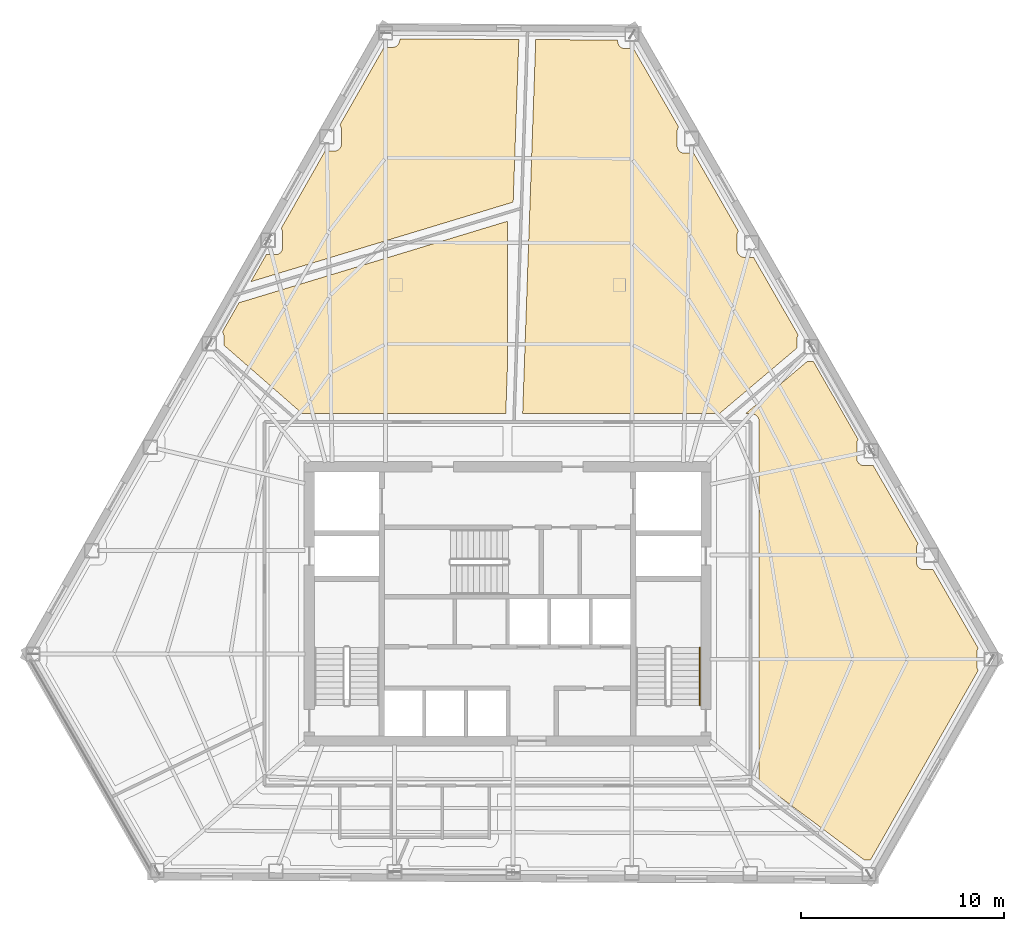
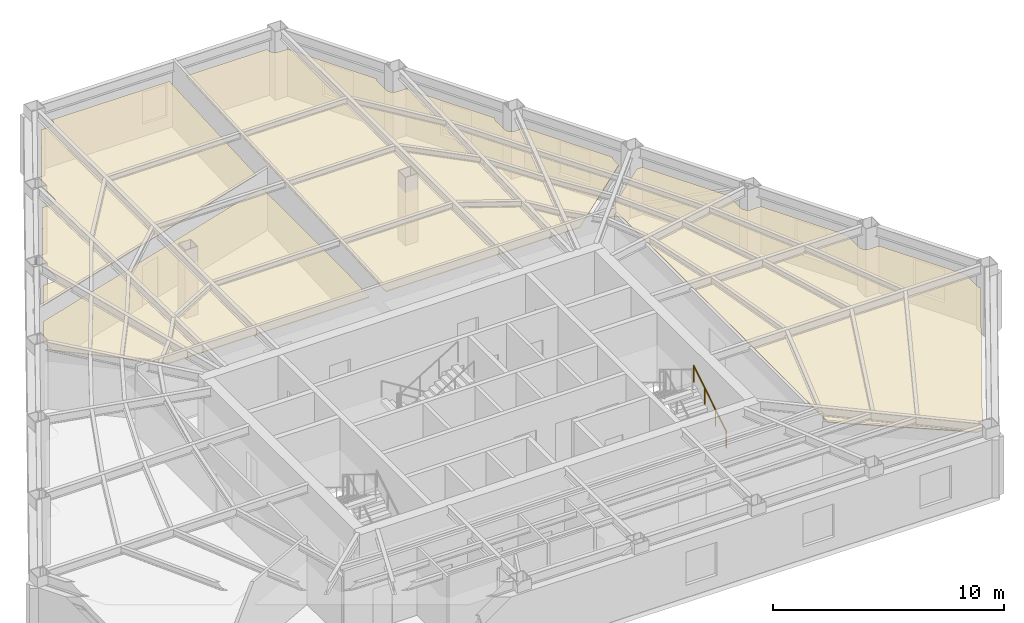
# One storey, part 13 of 13: 4 coverings, 1 railing.
"""IFC4 building model written with IfcOpenShell, lengths in metres."""

from ifc_helpers import new_model, si_unit, direction, frame, origin, origin_2d, place, context, subcontext, project, spatial, polyline, circle, outline, extrude, material, layer, layer_set, type_object, element, save


model = new_model("IFC4")

# Units and contexts
model_context = context("Model", 3, precision=1e-05, world=origin(), true_north=direction((0.0, 1.0)))
body_context = subcontext(model_context, "Body", "Model", "MODEL_VIEW")
ifc_project = project(units=[si_unit("LENGTHUNIT", "METRE"), si_unit("AREAUNIT", "SQUARE_METRE"), si_unit("VOLUMEUNIT", "CUBIC_METRE"), si_unit("PLANEANGLEUNIT", "RADIAN"), si_unit("MASSUNIT", "GRAM", prefix="KILO")], contexts=[model_context])

# Site, building, storey
site_placement = place(None, origin())
site = spatial("IfcSite", under=ifc_project, at=site_placement, CompositionType="ELEMENT")
building_placement = place(site_placement, origin())
building = spatial("IfcBuilding", under=site, at=building_placement, Name="Kavelnor Concourse Tower", CompositionType="ELEMENT")
storey_placement = place(building_placement, frame((0.0, 0.0, 100.89990234375)))
storey = spatial("IfcBuildingStorey", under=building, at=storey_placement, Name="L25", CompositionType="ELEMENT", Elevation=100.89990234375)

# Coverings
ifc_material_1 = material(Name="Mineral fibre acoustic ceiling tile")
ifc_layer = layer(ifc_material_1, 0.0400390625, Name="Mineral fibre acoustic ceiling tile")
ifc_layer_set = layer_set([ifc_layer], Name="Mineral fibre acoustic ceiling tile")
covering_type = type_object("IfcCoveringType", Name="COV-CEILING-ACOUSTIC", PredefinedType="CEILING", material=ifc_layer_set)
covering_1_placement = place(storey_placement, frame((0.0, 0.0, 2.75)))
element("IfcCovering", 1, at=covering_1_placement, inside=storey, type_object=covering_type, Name="L25 Suspended Acoustic Ceiling", PredefinedType="CEILING", context=body_context, shape_type="SweptSolid", body=[
    extrude(outline(polyline([(46.378173828125, 39.51123046875), (46.3662109375, 39.47802734375), (46.357666015625, 39.443603515625), (46.3525390625, 39.40869140625), (46.351318359375, 39.381591796875), (46.351318359375, 38.64501953125), (46.3525390625, 38.6181640625), (46.357666015625, 38.5830078125), (46.3662109375, 38.548828125), (46.378173828125, 38.515380859375), (46.393310546875, 38.4833984375), (46.41162109375, 38.453125), (46.4326171875, 38.4248046875), (46.456298828125, 38.398681640625), (46.482666015625, 38.374755859375), (46.510986328125, 38.353759765625), (46.541259765625, 38.33544921875), (46.5732421875, 38.3203125), (46.606689453125, 38.30859375), (46.640869140625, 38.2998046875), (46.67578125, 38.294677734375), (46.702880859375, 38.29345703125), (47.162109375, 38.29345703125), (49.36767578125, 34.456787109375), (49.359375, 34.445556640625), (49.34130859375, 34.415283203125), (49.326171875, 34.38330078125), (49.314208984375, 34.349853515625), (49.3056640625, 34.315673828125), (49.30029296875, 34.280517578125), (49.299072265625, 34.253662109375), (49.299072265625, 33.51708984375), (49.30029296875, 33.489990234375), (49.3056640625, 33.455078125), (49.314208984375, 33.420654296875), (49.326171875, 33.387451171875), (49.34130859375, 33.35546875), (49.359375, 33.3251953125), (49.380615234375, 33.296630859375), (49.404296875, 33.2705078125), (49.430419921875, 33.24658203125), (49.458984375, 33.2255859375), (49.4892578125, 33.20751953125), (49.521240234375, 33.1923828125), (49.554443359375, 33.180419921875), (49.5888671875, 33.171875), (49.623779296875, 33.16650390625), (49.65087890625, 33.165283203125), (50.110107421875, 33.165283203125), (52.315673828125, 29.32861328125), (52.307373046875, 29.3173828125), (52.289306640625, 29.287109375), (52.274169921875, 29.255126953125), (52.26220703125, 29.2216796875), (52.253662109375, 29.1875), (52.248291015625, 29.152587890625), (52.2470703125, 29.12548828125), (52.2470703125, 28.69189453125), (48.440185546875, 25.472412109375), (38.742431640625, 25.472412109375), (39.385498046875, 43.885986328125), (43.42333984375, 43.865234375), (43.42333984375, 43.793212890625), (43.424560546875, 43.76611328125), (43.4296875, 43.731201171875), (43.4384765625, 43.697021484375), (43.4501953125, 43.66357421875), (43.46533203125, 43.631591796875), (43.483642578125, 43.601318359375), (43.504638671875, 43.572998046875), (43.528564453125, 43.546630859375), (43.5546875, 43.52294921875), (43.5830078125, 43.501708984375), (43.61328125, 43.483642578125), (43.6455078125, 43.468505859375), (43.6787109375, 43.45654296875), (43.712890625, 43.447998046875), (43.748046875, 43.44287109375), (43.77490234375, 43.44140625), (44.202880859375, 43.44140625), (46.419921875, 39.584716796875), (46.41162109375, 39.573486328125), (46.393310546875, 39.543212890625), (46.378173828125, 39.51123046875)])), origin(), (0.0, 0.0, 1.0), 0.0400390625),
])
covering_2_placement = place(storey_placement, frame((0.0, 0.0, 2.75)))
element("IfcCovering", 2, at=covering_2_placement, inside=storey, type_object=covering_type, Name="L25 Suspended Acoustic Ceiling", PredefinedType="CEILING", context=body_context, shape_type="SweptSolid", body=[
    extrude(outline(polyline([(37.9951171875, 27.84814453125), (37.912109375, 25.472412109375), (27.8857421875, 25.472412109375), (24.027099609375, 28.838134765625), (24.027099609375, 29.28369140625), (24.02587890625, 29.310791015625), (24.020751953125, 29.345703125), (24.01220703125, 29.3798828125), (24.000244140625, 29.413330078125), (23.985107421875, 29.4453125), (23.966796875, 29.4755859375), (23.955810546875, 29.490478515625), (24.771240234375, 30.92626953125), (37.9951171875, 34.93994140625), (37.9951171875, 27.84814453125)])), origin(), (0.0, 0.0, 1.0), 0.0400390625),
])
covering_3_placement = place(storey_placement, frame((0.0, 0.0, 2.75)))
element("IfcCovering", 3, at=covering_3_placement, inside=storey, type_object=covering_type, Name="L25 Suspended Acoustic Ceiling", PredefinedType="CEILING", context=body_context, shape_type="SweptSolid", body=[
    extrude(outline(polyline([(26.570068359375, 33.291748046875), (26.596923828125, 33.29296875), (26.632080078125, 33.298095703125), (26.666259765625, 33.306884765625), (26.69970703125, 33.318603515625), (26.731689453125, 33.333740234375), (26.761962890625, 33.35205078125), (26.790283203125, 33.373046875), (26.81640625, 33.39697265625), (26.84033203125, 33.423095703125), (26.861328125, 33.451416015625), (26.879638671875, 33.481689453125), (26.894775390625, 33.513916015625), (26.906494140625, 33.547119140625), (26.915283203125, 33.581298828125), (26.92041015625, 33.616455078125), (26.921630859375, 33.643310546875), (26.921630859375, 34.3798828125), (26.92041015625, 34.406982421875), (26.915283203125, 34.44189453125), (26.906494140625, 34.476318359375), (26.894775390625, 34.509521484375), (26.879638671875, 34.54150390625), (26.861328125, 34.572021484375), (26.850341796875, 34.5869140625), (29.00927734375, 38.38818359375), (29.464599609375, 38.38818359375), (29.49169921875, 38.389404296875), (29.526611328125, 38.39453125), (29.560791015625, 38.4033203125), (29.59423828125, 38.4150390625), (29.626220703125, 38.43017578125), (29.656494140625, 38.448486328125), (29.684814453125, 38.469482421875), (29.711181640625, 38.493408203125), (29.73486328125, 38.51953125), (29.756103515625, 38.5478515625), (29.774169921875, 38.578125), (29.789306640625, 38.610107421875), (29.80126953125, 38.6435546875), (29.809814453125, 38.677734375), (29.81494140625, 38.712890625), (29.81640625, 38.73974609375), (29.81640625, 39.476318359375), (29.81494140625, 39.50341796875), (29.809814453125, 39.538330078125), (29.80126953125, 39.57275390625), (29.789306640625, 39.60595703125), (29.774169921875, 39.637939453125), (29.756103515625, 39.668212890625), (29.744873046875, 39.683349609375), (31.915283203125, 43.50439453125), (32.339111328125, 43.50439453125), (32.3662109375, 43.505615234375), (32.401123046875, 43.510986328125), (32.435302734375, 43.51953125), (32.46875, 43.531494140625), (32.500732421875, 43.54638671875), (32.531005859375, 43.564697265625), (32.559326171875, 43.585693359375), (32.585693359375, 43.609619140625), (32.609375, 43.6357421875), (32.630615234375, 43.664306640625), (32.648681640625, 43.694580078125), (32.663818359375, 43.7265625), (32.67578125, 43.759765625), (32.684326171875, 43.794189453125), (32.689453125, 43.8291015625), (32.69091796875, 43.856201171875), (32.69091796875, 43.9208984375), (38.55517578125, 43.890380859375), (38.275634765625, 35.882080078125), (25.359375, 31.961669921875), (26.11474609375, 33.291748046875), (26.570068359375, 33.291748046875)])), origin(), (0.0, 0.0, 1.0), 0.0400390625),
])
covering_4_placement = place(storey_placement, frame((0.0, 0.0, 2.75)))
element("IfcCovering", 4, at=covering_4_placement, inside=storey, type_object=covering_type, Name="L25 Suspended Acoustic Ceiling", PredefinedType="CEILING", context=body_context, shape_type="SweptSolid", body=[
    extrude(outline(polyline([(50.392578125, 25.058349609375), (50.390869140625, 25.091552734375), (50.384765625, 25.132568359375), (50.374755859375, 25.1728515625), (50.360595703125, 25.2119140625), (50.343017578125, 25.24951171875), (50.321533203125, 25.284912109375), (50.296875, 25.318359375), (50.26904296875, 25.34912109375), (50.23828125, 25.376953125), (50.205078125, 25.401611328125), (50.16943359375, 25.423095703125), (50.1318359375, 25.440673828125), (50.0927734375, 25.45458984375), (50.052490234375, 25.46484375), (50.011474609375, 25.470947265625), (49.978271484375, 25.472412109375), (49.7255859375, 25.472412109375), (52.75830078125, 28.037109375), (53.05810546875, 28.037109375), (55.263671875, 24.2001953125), (55.25537109375, 24.189208984375), (55.237060546875, 24.158935546875), (55.221923828125, 24.126953125), (55.210205078125, 24.093505859375), (55.201416015625, 24.059326171875), (55.1962890625, 24.0244140625), (55.195068359375, 23.997314453125), (55.195068359375, 23.2607421875), (55.1962890625, 23.233642578125), (55.201416015625, 23.19873046875), (55.210205078125, 23.164306640625), (55.221923828125, 23.131103515625), (55.237060546875, 23.09912109375), (55.25537109375, 23.06884765625), (55.2763671875, 23.040283203125), (55.30029296875, 23.01416015625), (55.326416015625, 22.990478515625), (55.354736328125, 22.96923828125), (55.385009765625, 22.951171875), (55.4169921875, 22.93603515625), (55.450439453125, 22.924072265625), (55.484619140625, 22.91552734375), (55.519775390625, 22.910400390625), (55.546630859375, 22.908935546875), (56.005859375, 22.908935546875), (58.21142578125, 19.072265625), (58.203125, 19.06103515625), (58.18505859375, 19.03076171875), (58.169921875, 18.998779296875), (58.157958984375, 18.965576171875), (58.1494140625, 18.93115234375), (58.144287109375, 18.896240234375), (58.142822265625, 18.869140625), (58.142822265625, 18.132568359375), (58.144287109375, 18.105712890625), (58.1494140625, 18.070556640625), (58.157958984375, 18.036376953125), (58.169921875, 18.0029296875), (58.18505859375, 17.970947265625), (58.203125, 17.940673828125), (58.224365234375, 17.912353515625), (58.248046875, 17.885986328125), (58.2744140625, 17.8623046875), (58.302734375, 17.84130859375), (58.3330078125, 17.822998046875), (58.364990234375, 17.807861328125), (58.398193359375, 17.7958984375), (58.4326171875, 17.787353515625), (58.467529296875, 17.7822265625), (58.49462890625, 17.781005859375), (58.953857421875, 17.781005859375), (61.174560546875, 13.917724609375), (61.171142578125, 13.9130859375), (61.15283203125, 13.8828125), (61.1376953125, 13.8505859375), (61.1259765625, 13.8173828125), (61.1171875, 13.783203125), (61.112060546875, 13.748046875), (61.11083984375, 13.72119140625), (61.11083984375, 13.0244140625), (61.112060546875, 12.99755859375), (61.1171875, 12.96240234375), (61.1259765625, 12.92822265625), (61.1376953125, 12.89501953125), (61.15283203125, 12.86279296875), (61.171142578125, 12.83251953125), (61.17724609375, 12.82421875), (55.872802734375, 3.48486328125), (55.570068359375, 3.48486328125), (50.392578125, 7.34716796875), (50.392578125, 25.058349609375)])), origin(), (0.0, 0.0, 1.0), 0.0400390625),
])

# Railing
ifc_material_2 = material(Name="Steel Grade 350", Category="steel")
railing_type = type_object("IfcRailingType", Name="RLG-HANDRAIL-900", PredefinedType="HANDRAIL", material=ifc_material_2)
railing_placement = place(storey_placement, frame((47.469970703125, 11.10009765625, 0.175048828125)))
element("IfcRailing", 5, at=railing_placement, inside=storey, type_object=railing_type, Name="L25 ST2 stair handrail 1", PredefinedType="HANDRAIL", context=body_context, shape_type="SweptSolid", body=[
    extrude(circle(Radius=0.02392578125, at=origin_2d()), frame((0.0, 0.0, 0.8759765625), z_axis=(0.0, 0.852159232446, 0.523282564737), x_axis=(-1.0, 0.0, 0.0)), (0.0, 0.0, 1.0), 3.34423828125),
    extrude(circle(Radius=0.02099609375, at=origin_2d()), origin(), (0.0, 0.0, 1.0), 0.851806640625),
    extrude(circle(Radius=0.02099609375, at=origin_2d()), frame((0.0, 0.949951171875, 0.583251953125)), (0.0, 0.0, 1.0), 0.851806640625),
    extrude(circle(Radius=0.02099609375, at=origin_2d()), frame((0.0, 1.89990234375, 1.166748046875)), (0.0, 0.0, 1.0), 0.851806640625),
    extrude(circle(Radius=0.02099609375, at=origin_2d()), frame((0.0, 2.849853515625, 1.75)), (0.0, 0.0, 1.0), 0.851806640625),
])

save(model, "model.ifc")
